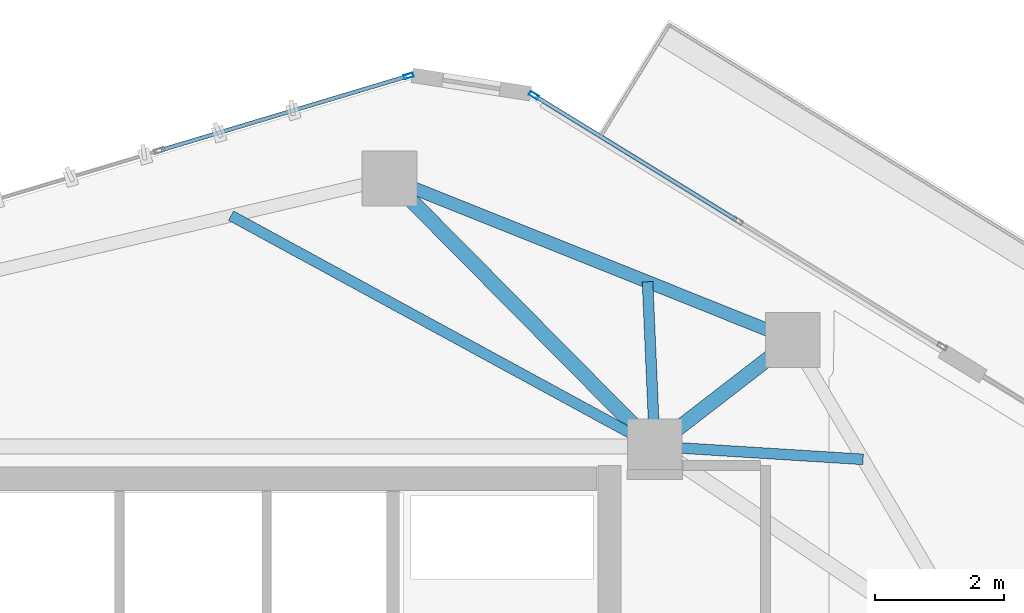
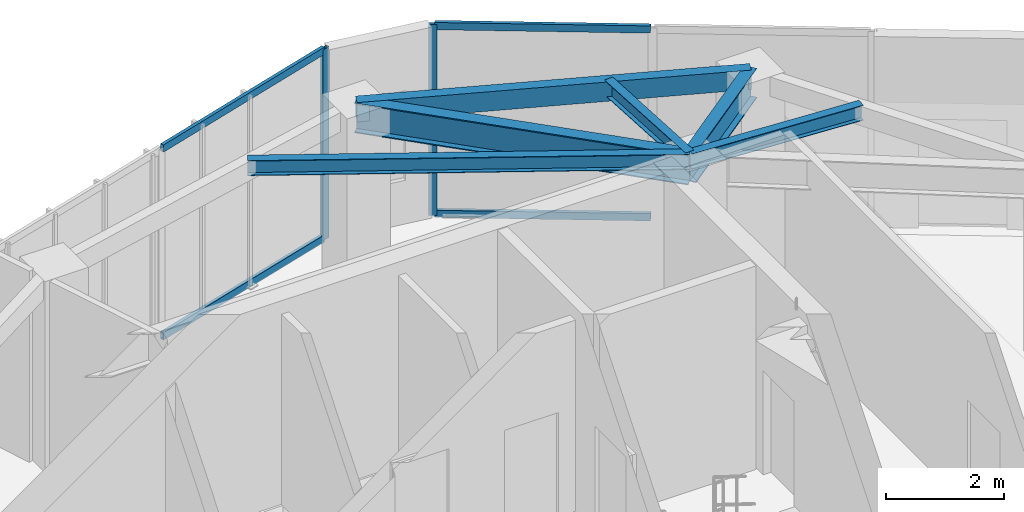
# One storey, part 13 of 20: 6 beams, 6 members, 2 elements without a shape of their own.
"""IFC4 building model written with IfcOpenShell, lengths in metres."""

from ifc_helpers import new_model, si_unit, direction, frame, origin, origin_2d, place, context, subcontext, project, spatial, hollow_rectangle, i_section, extrude, source, transform, mapped, material, layer, layer_set, material_profile, profile_set, type_object, type_shapes, element, aggregate, save


model = new_model("IFC4")

# Units and contexts
model_context = context("Model", 3, precision=1e-05, world=origin(), true_north=direction((0.0, 1.0)))
body_context = subcontext(model_context, "Body", "Model", "MODEL_VIEW")
ifc_project = project(units=[si_unit("LENGTHUNIT", "METRE"), si_unit("AREAUNIT", "SQUARE_METRE"), si_unit("VOLUMEUNIT", "CUBIC_METRE"), si_unit("PLANEANGLEUNIT", "RADIAN"), si_unit("MASSUNIT", "GRAM", prefix="KILO")], contexts=[model_context])

# Site, building, storey
site_placement = place(None, origin())
site = spatial("IfcSite", under=ifc_project, at=site_placement, CompositionType="ELEMENT")
building_placement = place(site_placement, origin())
building = spatial("IfcBuilding", under=site, at=building_placement, Name="Talar Marvaseh", CompositionType="ELEMENT")
storey_placement = place(building_placement, frame((0.0, 0.0, 291.800048828125)))
storey = spatial("IfcBuildingStorey", under=building, at=storey_placement, Name="L78", CompositionType="ELEMENT", Elevation=291.800048828125)

# Beams
ifc_material_1 = material(Name="Steel S355", Category="steel")
ifc_material_profile_1 = material_profile(ifc_material_1, hollow_rectangle(XDim=0.199951171875, YDim=0.39990234375, WallThickness=0.013916015625, at=origin_2d()), Name="RHS400x200x14")
ifc_profile_set_1 = profile_set([ifc_material_profile_1], Name="Steel S355")
beam_type_1 = type_object("IfcBeamType", Name="Zone 3 Perimeter Spandrel Beam RHS400x200x14", PredefinedType="SPANDREL", material=ifc_profile_set_1)
beam_1_placement = place(storey_placement, frame((29.18798828125, 41.052001953125, 3.739990234375), z_axis=(0.928426659475, -0.371515730456, 0.0), x_axis=(0.371515730456, 0.928426659475, 0.0)))
element("IfcBeam", 1, at=beam_1_placement, inside=storey, type_object=beam_type_1, Name="L78 Zone 3 Perimeter Spandrel Beam RHS400x200x14", PredefinedType="SPANDREL", context=body_context, shape_type="SweptSolid", body=[
    extrude(hollow_rectangle(XDim=0.199951171875, YDim=0.39990234375, WallThickness=0.013916015625, at=origin_2d()), origin(), (0.0, 0.0, 1.0), 6.73193359375),
])
ifc_material_profile_2 = material_profile(ifc_material_1, i_section(OverallWidth=0.166015625, OverallDepth=0.31298828125, WebThickness=0.006591796875, FlangeThickness=0.01123046875, at=origin_2d()), Name="W310x45")
ifc_profile_set_2 = profile_set([ifc_material_profile_2], Name="Steel S355")
beam_type_2 = type_object("IfcBeamType", Name="Zone 3 Secondary Floor Joist W310x45", PredefinedType="JOIST", material=ifc_profile_set_2)
beam_2_placement = place(storey_placement, frame((26.731689453125, 40.476806640625, 3.783447265625), z_axis=(0.878223458764, -0.478250516442, 0.0), x_axis=(0.478250516442, 0.878223458764, 0.0)))
element("IfcBeam", 2, at=beam_2_placement, inside=storey, type_object=beam_type_2, Name="L78 Zone 3 Secondary Floor Joist W310x45", PredefinedType="JOIST", context=body_context, shape_type="SweptSolid", body=[
    extrude(i_section(OverallWidth=0.166015625, OverallDepth=0.31298828125, WebThickness=0.006591796875, FlangeThickness=0.01123046875, at=origin_2d()), origin(), (0.0, 0.0, 1.0), 7.479248046875),
])
beam_3_placement = place(storey_placement, frame((33.18798828125, 39.451416015625, 3.783447265625), z_axis=(0.043876945448, -0.99903694309, 0.0), x_axis=(0.99903694309, 0.043876945448, 0.0)))
element("IfcBeam", 3, at=beam_3_placement, inside=storey, type_object=beam_type_2, Name="L78 Zone 3 Secondary Floor Joist W310x45", PredefinedType="JOIST", context=body_context, shape_type="SweptSolid", body=[
    extrude(i_section(OverallWidth=0.166015625, OverallDepth=0.31298828125, WebThickness=0.006591796875, FlangeThickness=0.01123046875, at=origin_2d()), origin(), (0.0, 0.0, 1.0), 2.553955078125),
])
beam_4_placement = place(storey_placement, frame((36.52978515625, 36.69873046875, 3.783447265625), z_axis=(-0.998065766367, 0.062166920515, 0.0), x_axis=(-0.062166920515, -0.998065766367, 0.0)))
element("IfcBeam", 4, at=beam_4_placement, inside=storey, type_object=beam_type_2, Name="L78 Zone 3 Secondary Floor Joist W310x45", PredefinedType="JOIST", context=body_context, shape_type="SweptSolid", body=[
    extrude(i_section(OverallWidth=0.166015625, OverallDepth=0.31298828125, WebThickness=0.006591796875, FlangeThickness=0.01123046875, at=origin_2d()), origin(), (0.0, 0.0, 1.0), 3.236083984375),
])
ifc_material_profile_3 = material_profile(ifc_material_1, i_section(OverallWidth=0.22998046875, OverallDepth=0.616943359375, WebThickness=0.01318359375, FlangeThickness=0.022216796875, at=origin_2d()), Name="W610x140")
ifc_profile_set_3 = profile_set([ifc_material_profile_3], Name="Steel S355")
beam_type_3 = type_object("IfcBeamType", Name="Zone 4 Radial Floor Girder W610x140", PredefinedType="BEAM", material=ifc_profile_set_3)
beam_5_placement = place(storey_placement, frame((29.18798828125, 41.052001953125, 3.63134765625), z_axis=(0.703672658083, -0.710524306598, 0.0), x_axis=(0.710524306598, 0.703672658083, 0.0)))
element("IfcBeam", 5, at=beam_5_placement, inside=storey, type_object=beam_type_3, Name="L78 Zone 4 Radial Floor Girder W610x140", PredefinedType="BEAM", context=body_context, shape_type="SweptSolid", body=[
    extrude(i_section(OverallWidth=0.22998046875, OverallDepth=0.616943359375, WebThickness=0.01318359375, FlangeThickness=0.022216796875, at=origin_2d()), origin(), (0.0, 0.0, 1.0), 5.84375),
])
beam_6_placement = place(storey_placement, frame((35.43798828125, 38.551025390625, 3.63134765625), z_axis=(-0.791449946636, -0.611233982996, 0.0), x_axis=(0.611233982996, -0.791449946636, 0.0)))
element("IfcBeam", 6, at=beam_6_placement, inside=storey, type_object=beam_type_3, Name="L78 Zone 4 Radial Floor Girder W610x140", PredefinedType="BEAM", context=body_context, shape_type="SweptSolid", body=[
    extrude(i_section(OverallWidth=0.22998046875, OverallDepth=0.616943359375, WebThickness=0.01318359375, FlangeThickness=0.022216796875, at=origin_2d()), origin(), (0.0, 0.0, 1.0), 2.701416015625),
])

# Curtain wall, members
ifc_material_2 = material(Name="Architectural Aluminium", Category="aluminium")
ifc_layer = layer(ifc_material_2, 0.239990234375)
ifc_layer_set = layer_set([ifc_layer], Name="Architectural Aluminium")
curtain_wall_type = type_object("IfcCurtainWallType", Name="Observation Sky Gallery Structural Glass Wall", PredefinedType="NOTDEFINED", material=ifc_layer_set)
curtain_wall_1_placement = place(storey_placement, origin())
curtain_wall_1 = element("IfcCurtainWall", 7, at=curtain_wall_1_placement, inside=storey, type_object=curtain_wall_type, Name="L78 Observation Sky Gallery Structural Glass Wall", PredefinedType="NOTDEFINED")
ifc_material_profile_4 = material_profile(ifc_material_2, hollow_rectangle(XDim=0.06494140625, YDim=0.14990234375, WallThickness=0.00390625, at=origin_2d()), Name="RHS150x65x4")
ifc_profile_set_4 = profile_set([ifc_material_profile_4], Name="Architectural Aluminium")
member_type_1 = type_object("IfcMemberType", Name="Unitised Curtain Wall Slim Transom RHS150x65x4", PredefinedType="USERDEFINED", material=ifc_profile_set_4)
shared_shape_1 = source(origin(), body_context, "Body", "SweptSolid", [
    extrude(hollow_rectangle(XDim=0.06494140625, YDim=0.14990234375, WallThickness=0.00390625, at=origin_2d()), origin(), (0.0, 0.0, 1.0), 3.97119140625),
])
member_1_placement = place(storey_placement, frame((25.648193359375, 41.492919921875, 0.032470703125), z_axis=(0.957920985341, 0.2870320293, 0.0), x_axis=(-0.2870320293, 0.957920985341, 0.0)))
member_1 = element("IfcMember", 8, at=member_1_placement, type_object=member_type_1, Name="CW-OBS transom 3.1", ObjectType="TRANSOM", PredefinedType="USERDEFINED", context=body_context, shape_type="MappedRepresentation", body=[
    mapped(shared_shape_1, transform((0.0, 0.0, 0.0), x_axis=(1.0, 0.0, 0.0), y_axis=(0.0, 1.0, 0.0), z_axis=(0.0, 0.0, 1.0), scale=1.0)),
])
member_2_placement = place(storey_placement, frame((25.648193359375, 41.492919921875, 3.907470703125), z_axis=(0.957920985341, 0.2870320293, 0.0), x_axis=(-0.2870320293, 0.957920985341, 0.0)))
member_2 = element("IfcMember", 9, at=member_2_placement, type_object=member_type_1, Name="CW-OBS transom 3.2", ObjectType="TRANSOM", PredefinedType="USERDEFINED", context=body_context, shape_type="MappedRepresentation", body=[
    mapped(shared_shape_1, transform((0.0, 0.0, 0.0), x_axis=(1.0, 0.0, 0.0), y_axis=(0.0, 1.0, 0.0), z_axis=(0.0, 0.0, 1.0), scale=1.0)),
])

curtain_wall_2_placement = place(storey_placement, origin())
curtain_wall_2 = element("IfcCurtainWall", 10, at=curtain_wall_2_placement, inside=storey, type_object=curtain_wall_type, Name="L78 Observation Sky Gallery Structural Glass Wall", PredefinedType="NOTDEFINED")
shared_shape_2 = source(origin(), body_context, "Body", "SweptSolid", [
    extrude(hollow_rectangle(XDim=0.06494140625, YDim=0.14990234375, WallThickness=0.00390625, at=origin_2d()), origin(), (0.0, 0.0, 1.0), 3.65185546875),
])
type_shapes(member_type_1, [shared_shape_1, shared_shape_2])
member_3_placement = place(storey_placement, frame((31.452880859375, 42.324462890625, 0.032470703125), z_axis=(0.851766180615, -0.523922106387, 0.0), x_axis=(0.523922106387, 0.851766180615, 0.0)))
member_3 = element("IfcMember", 11, at=member_3_placement, type_object=member_type_1, Name="CW-OBS transom 1.1", ObjectType="TRANSOM", PredefinedType="USERDEFINED", context=body_context, shape_type="MappedRepresentation", body=[
    mapped(shared_shape_2, transform((0.0, 0.0, 0.0), x_axis=(1.0, 0.0, 0.0), y_axis=(0.0, 1.0, 0.0), z_axis=(0.0, 0.0, 1.0), scale=1.0)),
])
member_4_placement = place(storey_placement, frame((31.452880859375, 42.324462890625, 3.907470703125), z_axis=(0.851766180615, -0.523922106387, 0.0), x_axis=(0.523922106387, 0.851766180615, 0.0)))
member_4 = element("IfcMember", 12, at=member_4_placement, type_object=member_type_1, Name="CW-OBS transom 1.2", ObjectType="TRANSOM", PredefinedType="USERDEFINED", context=body_context, shape_type="MappedRepresentation", body=[
    mapped(shared_shape_2, transform((0.0, 0.0, 0.0), x_axis=(1.0, 0.0, 0.0), y_axis=(0.0, 1.0, 0.0), z_axis=(0.0, 0.0, 1.0), scale=1.0)),
])

# Member
ifc_material_profile_5 = material_profile(ifc_material_2, hollow_rectangle(XDim=0.06494140625, YDim=0.14990234375, WallThickness=0.00390625, at=origin_2d()), Name="RHS150x65x4")
ifc_profile_set_5 = profile_set([ifc_material_profile_5], Name="Architectural Aluminium")
member_type_2 = type_object("IfcMemberType", Name="Unitised Curtain Wall Slim Mullion RHS150x65x4", PredefinedType="MULLION", material=ifc_profile_set_5)
shared_shape_3 = source(origin(), body_context, "Body", "SweptSolid", [
    extrude(hollow_rectangle(XDim=0.06494140625, YDim=0.14990234375, WallThickness=0.00390625, at=origin_2d()), origin(), (0.0, 0.0, 1.0), 3.93994140625),
])
type_shapes(member_type_2, [shared_shape_3])
member_5_placement = place(storey_placement, frame((29.4833984375, 42.64208984375, 0.0), z_axis=(0.0, 0.0, 1.0), x_axis=(-0.287063008418, 0.957911702193, 0.0)))
member_5 = element("IfcMember", 13, at=member_5_placement, type_object=member_type_2, Name="CW-OBS mullion 4", PredefinedType="MULLION", context=body_context, shape_type="MappedRepresentation", body=[
    mapped(shared_shape_3, transform((0.0, 0.0, 0.0), x_axis=(1.0, 0.0, 0.0), y_axis=(0.0, 1.0, 0.0), z_axis=(0.0, 0.0, 1.0), scale=1.0)),
])

aggregate(curtain_wall_1, [member_5, member_1, member_2])

member_6_placement = place(storey_placement, frame((31.425048828125, 42.341552734375, 0.0), z_axis=(0.0, 0.0, 1.0), x_axis=(0.523932244916, 0.851759944314, 0.0)))
member_6 = element("IfcMember", 14, at=member_6_placement, type_object=member_type_2, Name="CW-OBS mullion 1", PredefinedType="MULLION", context=body_context, shape_type="MappedRepresentation", body=[
    mapped(shared_shape_3, transform((0.0, 0.0, 0.0), x_axis=(1.0, 0.0, 0.0), y_axis=(0.0, 1.0, 0.0), z_axis=(0.0, 0.0, 1.0), scale=1.0)),
])

aggregate(curtain_wall_2, [member_6, member_3, member_4])

save(model, "model.ifc")
